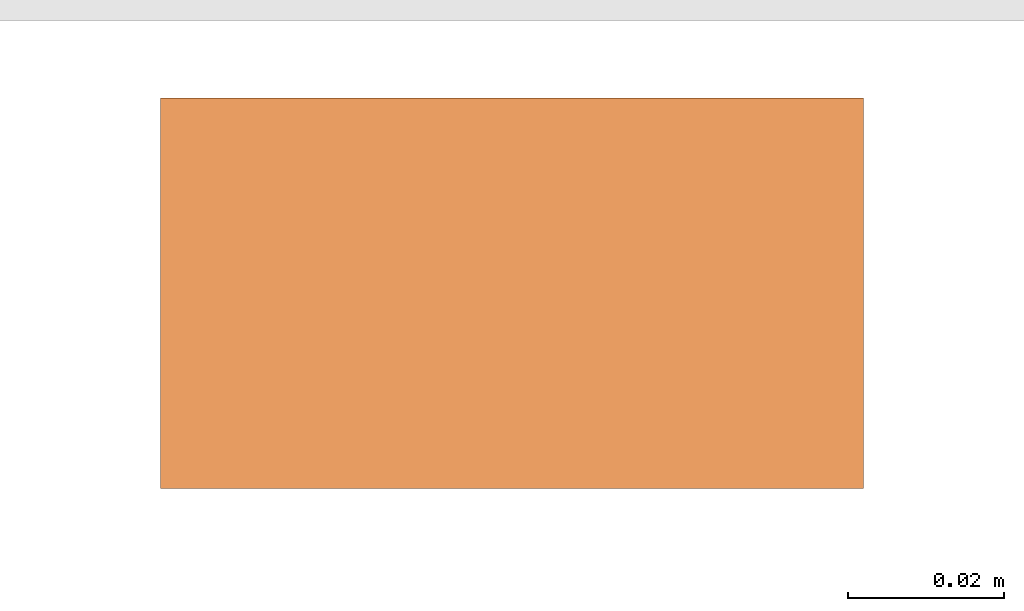
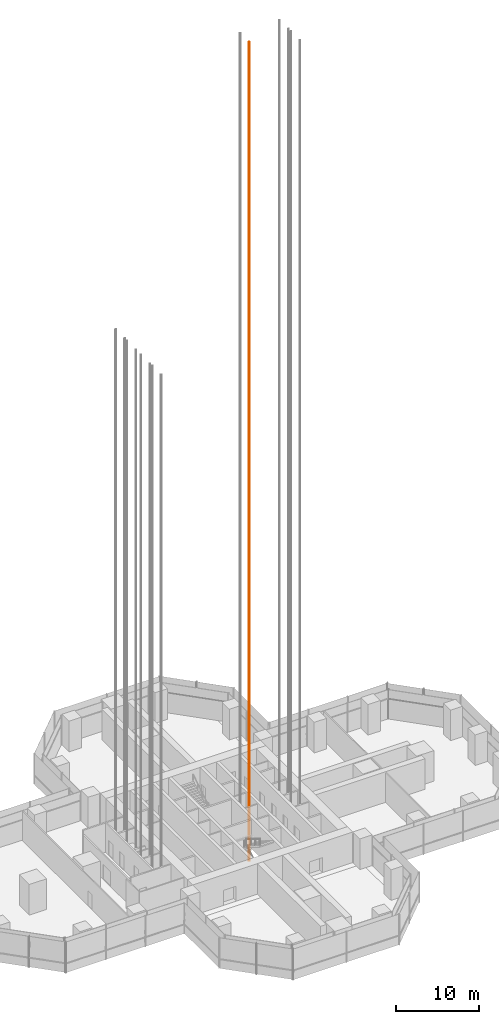
# One storey, part 28 of 34: 1 proxy.
"""IFC4 building model written with IfcOpenShell, lengths in metres."""

from ifc_helpers import new_model, si_unit, direction, frame, origin, origin_2d, place, context, subcontext, project, spatial, rectangle, extrude, material, element, save


model = new_model("IFC4")

# Units and contexts
model_context = context("Model", 3, precision=1e-05, world=origin(), true_north=direction((0.0, 1.0)))
body_context = subcontext(model_context, "Body", "Model", "MODEL_VIEW")
ifc_project = project(units=[si_unit("LENGTHUNIT", "METRE"), si_unit("AREAUNIT", "SQUARE_METRE"), si_unit("VOLUMEUNIT", "CUBIC_METRE"), si_unit("PLANEANGLEUNIT", "RADIAN"), si_unit("MASSUNIT", "GRAM", prefix="KILO")], contexts=[model_context])

# Site, building, storey
site_placement = place(None, origin())
site = spatial("IfcSite", under=ifc_project, at=site_placement, CompositionType="ELEMENT")
building_placement = place(site_placement, origin())
building = spatial("IfcBuilding", under=site, at=building_placement, Name="Mizan Broadcast Tower", CompositionType="ELEMENT")
storey_placement = place(building_placement, frame((0.0, 0.0, 194.39990234375)))
storey = spatial("IfcBuildingStorey", under=building, at=storey_placement, Name="L45", CompositionType="ELEMENT", Elevation=194.39990234375)

# Proxy
ifc_material = material(Name="Steel guide rail", Category="steel")
proxy_placement = place(storey_placement, frame((3.324951171875, 0.2900390625, -3.89990234375), z_axis=(0.0, 0.0, 1.0), x_axis=(1.0, 0.0, 0.0)))
element("IfcBuildingElementProxy", 1, at=proxy_placement, inside=storey, material=ifc_material, Name="Guide rail LD3-1", PredefinedType="NOTDEFINED", context=body_context, shape_type="SweptSolid", body=[
    extrude(rectangle(XDim=0.090087890625, YDim=0.050048828125, at=origin_2d()), origin(), (0.0, 0.0, 1.0), 120.570068359375),
])

save(model, "model.ifc")
